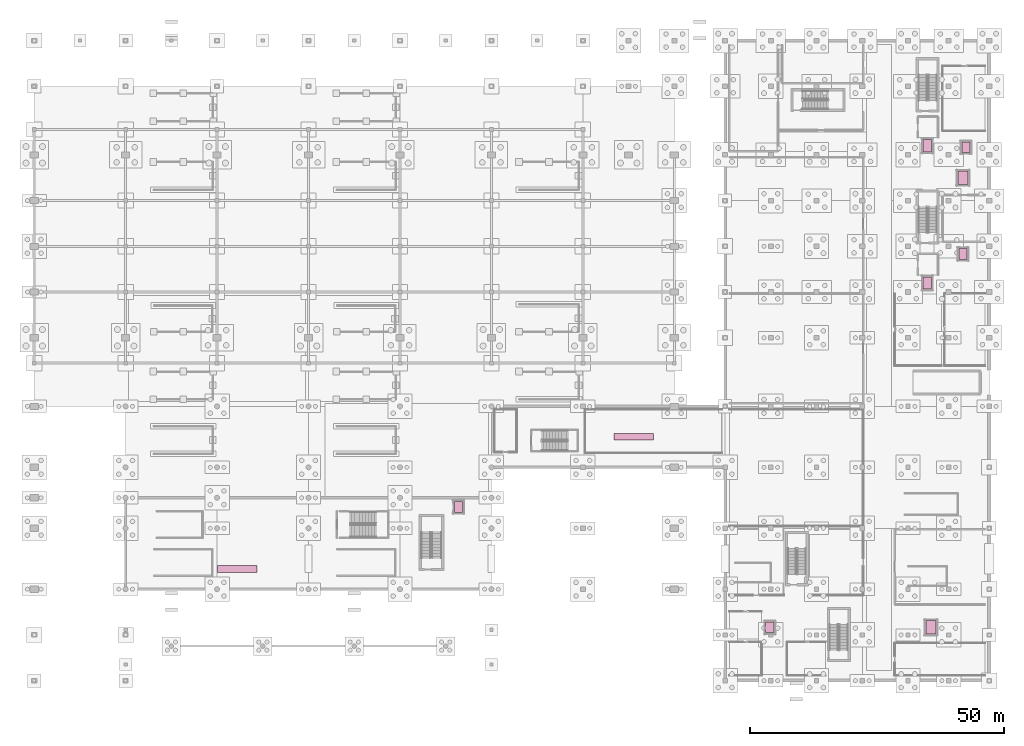
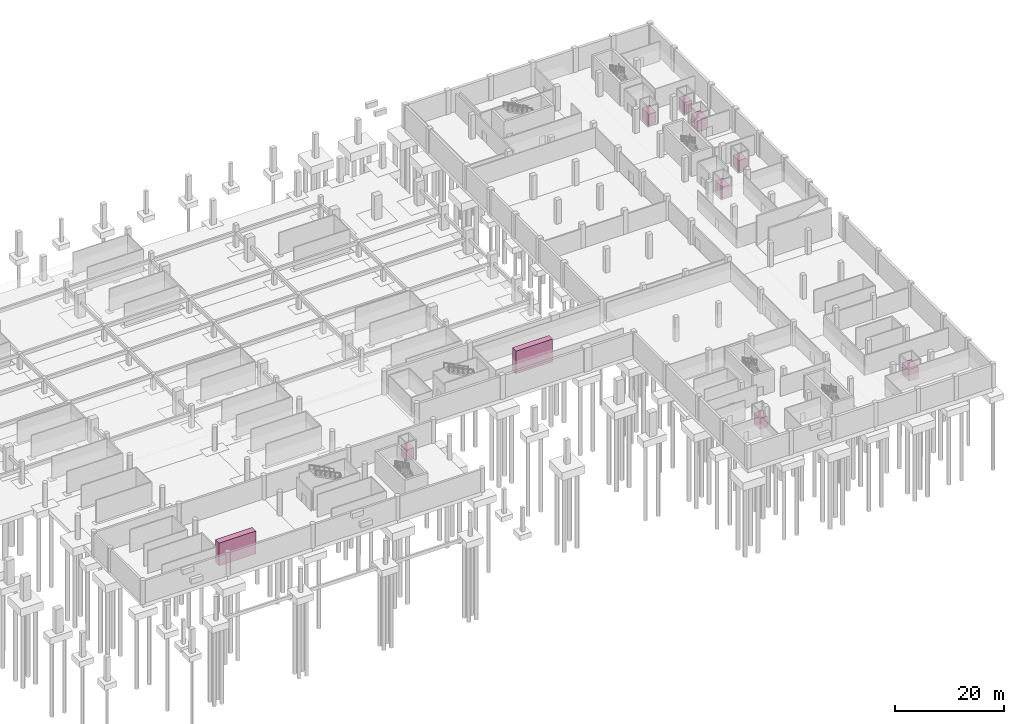
# One storey, part 26 of 26: 10 transport elements.
"""IFC4 building model written with IfcOpenShell, lengths in metres."""

from ifc_helpers import new_model, si_unit, direction, frame, origin, origin_2d, place, context, subcontext, project, spatial, rectangle, extrude, material, type_object, element, save


model = new_model("IFC4")

# Units and contexts
model_context = context("Model", 3, precision=1e-05, world=origin(), true_north=direction((0.0, 1.0)))
body_context = subcontext(model_context, "Body", "Model", "MODEL_VIEW")
ifc_project = project(units=[si_unit("LENGTHUNIT", "METRE"), si_unit("AREAUNIT", "SQUARE_METRE"), si_unit("VOLUMEUNIT", "CUBIC_METRE"), si_unit("PLANEANGLEUNIT", "RADIAN"), si_unit("MASSUNIT", "GRAM", prefix="KILO")], contexts=[model_context])

# Site, building, storey
site_placement = place(None, origin())
site = spatial("IfcSite", under=ifc_project, at=site_placement, CompositionType="ELEMENT")
building_placement = place(site_placement, origin())
building = spatial("IfcBuilding", under=site, at=building_placement, Name="Chuanluo Vaults Station", CompositionType="ELEMENT")
storey_placement = place(building_placement, frame((0.0, 0.0, -5.39990234375)))
storey = spatial("IfcBuildingStorey", under=building, at=storey_placement, Name="B1", CompositionType="ELEMENT", Elevation=-5.39990234375)

# Transport elements
ifc_material_1 = material(Name="Brushed stainless steel 304", Category="steel")
transport_element_type_1 = type_object("IfcTransportElementType", Name="TRN-ESC-1000", PredefinedType="ESCALATOR", material=ifc_material_1)
for number, where, z_axis, x_axis, name in (
    (1, (40.0, 22.0, -0.000244140625), (0.0, 0.0, 1.0), (1.0, 0.0, 0.0), "Passenger escalator ESC-11"),
    (2, (118.0, 48.0, -0.000244140625), (0.0, 0.0, 1.0), (1.0, 0.0, 0.0), "Passenger escalator ESC-12"),
):
    element("IfcTransportElement", number, at=place(storey_placement, frame(where, z_axis=z_axis, x_axis=x_axis)), inside=storey, type_object=transport_element_type_1, Name=name, PredefinedType="ESCALATOR", context=body_context, shape_type="SweptSolid", body=[
        extrude(rectangle(XDim=7.800048828125, YDim=1.35009765625, at=origin_2d()), origin(), (0.0, 0.0, 1.0), 5.10009765625),
    ])
ifc_material_2 = material(Name="Brushed stainless steel 304", Category="steel")
transport_element_type_2 = type_object("IfcTransportElementType", Name="TRN-LIFT-FF", PredefinedType="ELEVATOR", material=ifc_material_2)
for number, where, z_axis, x_axis, name in (
    (3, (175.800048828125, 78.300048828125, 0.0), (0.0, 0.0, 1.0), (1.0, 0.0, 0.0), "Lift car FFL-01"),
    (4, (175.800048828125, 105.300048828125, 0.0), (0.0, 0.0, 1.0), (1.0, 0.0, 0.0), "Lift car FFL-02"),
):
    element("IfcTransportElement", number, at=place(storey_placement, frame(where, z_axis=z_axis, x_axis=x_axis)), inside=storey, type_object=transport_element_type_2, Name=name, PredefinedType="ELEVATOR", context=body_context, shape_type="SweptSolid", body=[
        extrude(rectangle(XDim=1.60009765625, YDim=2.39990234375, at=origin_2d()), origin(), (0.0, 0.0, 1.0), 2.5),
    ])
ifc_material_3 = material(Name="Brushed stainless steel 304", Category="steel")
transport_element_type_3 = type_object("IfcTransportElementType", Name="TRN-LIFT-GDS", PredefinedType="ELEVATOR", material=ifc_material_3)
for number, where, z_axis, x_axis, name in (
    (5, (176.5, 10.5, -0.000244140625), (0.0, 0.0, 1.0), (1.0, 0.0, 0.0), "Lift car GL-01"),
    (6, (182.800048828125, 99.0, -0.000244140625), (0.0, 0.0, 1.0), (1.0, 0.0, 0.0), "Lift car GL-02"),
):
    element("IfcTransportElement", number, at=place(storey_placement, frame(where, z_axis=z_axis, x_axis=x_axis)), inside=storey, type_object=transport_element_type_3, Name=name, PredefinedType="ELEVATOR", context=body_context, shape_type="SweptSolid", body=[
        extrude(rectangle(XDim=2.0, YDim=2.60009765625, at=origin_2d()), origin(), (0.0, 0.0, 1.0), 2.60009765625),
    ])
ifc_material_4 = material(Name="Brushed stainless steel 304", Category="steel")
transport_element_type_4 = type_object("IfcTransportElementType", Name="TRN-LIFT-PAX", PredefinedType="ELEVATOR", material=ifc_material_4)
for number, where, z_axis, x_axis, name in (
    (7, (83.5, 34.199951171875, 0.0), (0.0, 0.0, 1.0), (1.0, 0.0, 0.0), "Lift car EL-01"),
    (8, (144.800048828125, 10.5, 0.0), (0.0, 0.0, 1.0), (1.0, 0.0, 0.0), "Lift car EL-02"),
    (9, (182.800048828125, 84.0, 0.0), (0.0, 0.0, 1.0), (1.0, 0.0, 0.0), "Lift car EL-03"),
    (10, (183.39990234375, 105.0, 0.0), (0.0, 0.0, 1.0), (1.0, 0.0, 0.0), "Lift car EL-04"),
):
    element("IfcTransportElement", number, at=place(storey_placement, frame(where, z_axis=z_axis, x_axis=x_axis)), inside=storey, type_object=transport_element_type_4, Name=name, PredefinedType="ELEVATOR", context=body_context, shape_type="SweptSolid", body=[
        extrude(rectangle(XDim=1.60009765625, YDim=2.10009765625, at=origin_2d()), origin(), (0.0, 0.0, 1.0), 2.5),
    ])

save(model, "model.ifc")
